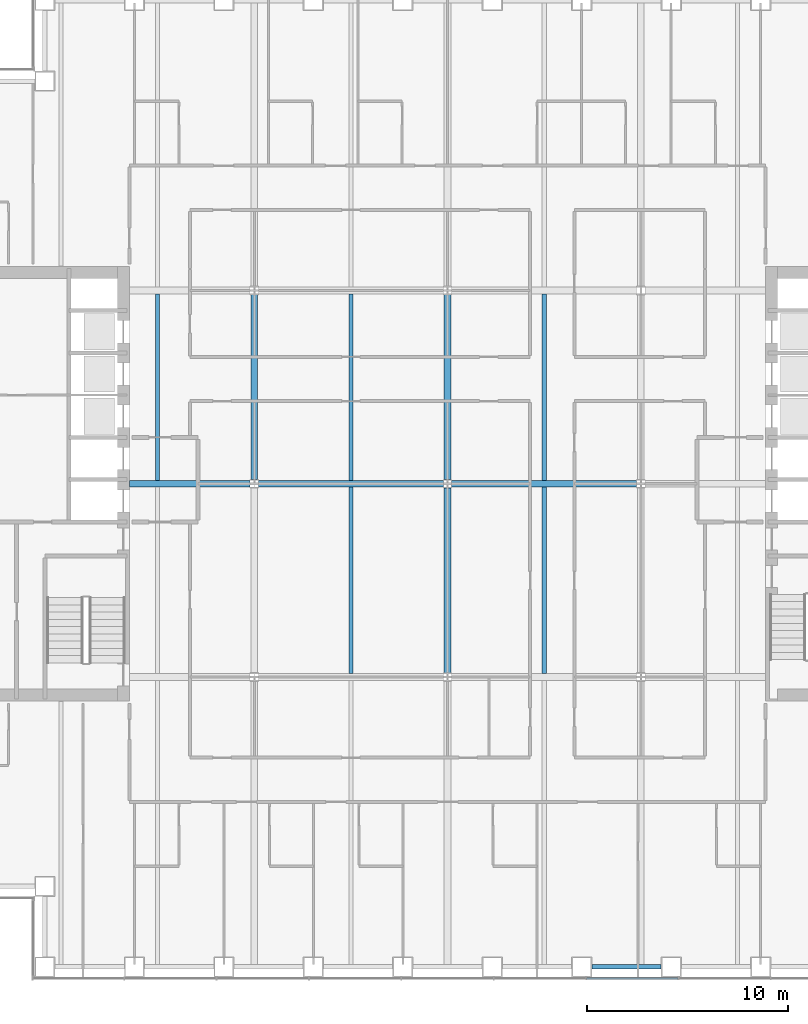
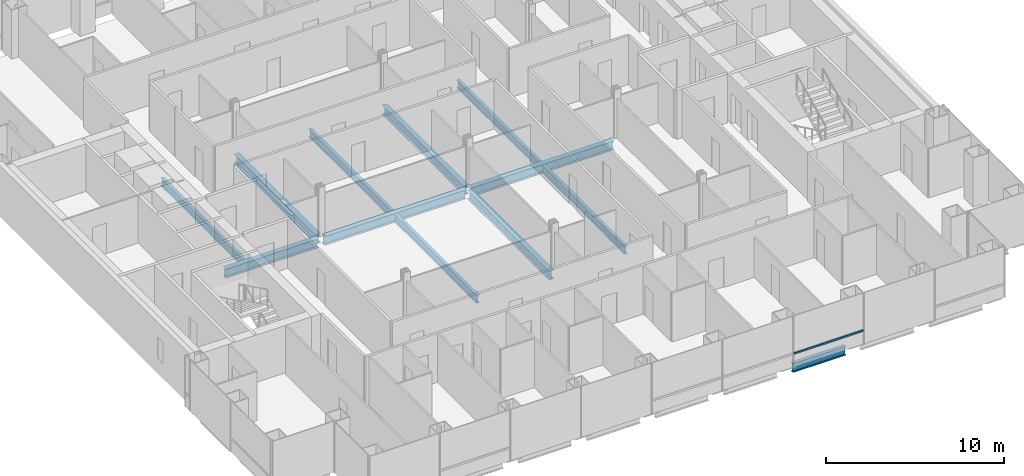
# One storey, part 4 of 23: 12 beams, 1 member, 1 element without a shape of its own.
"""IFC4 building model written with IfcOpenShell, lengths in metres."""

import ifcopenshell
import ifcopenshell.guid

model = None  # the IFC model being written
_history = None  # IfcOwnerHistory: only IFC2X3 demands one
_inside = {}  # id of a spatial element -> (the spatial element, [elements in it])
_under = {}  # id of a project, library or spatial element -> (it, [spatial elements below it])
_declared = {}  # id of a project -> (the project, [libraries it declares])
_typed = {}  # id of a type object -> (the type object, [elements of that type])
_made_of = {}  # id of a material, layer set ... -> (it, [elements and type objects made of it])


def new_model(schema):
    """Start an empty IFC model of exactly this schema.

    Asked for "IFC4X3", IfcOpenShell would pick the latest addendum, in which some entities
    have other attributes; the version numbers below select the first issue.
    IFC2X3 requires an IfcOwnerHistory on every rooted entity: one is made here for all.
    """
    global model, _history
    if schema == "IFC4X3":
        model = ifcopenshell.file(schema_version=(4, 3, 0, 0))
    else:
        model = ifcopenshell.file(schema=schema)
    _inside.clear()
    _under.clear()
    _declared.clear()
    _typed.clear()
    _made_of.clear()
    _history = None
    if model.schema == "IFC2X3":
        org = make("IfcOrganization", Name="unknown")
        user = make(
            "IfcPersonAndOrganization",
            ThePerson=make("IfcPerson", FamilyName="unknown"),
            TheOrganization=org,
        )
        app = make(
            "IfcApplication",
            ApplicationDeveloper=org,
            Version="unknown",
            ApplicationFullName="unknown",
            ApplicationIdentifier="unknown",
        )
        _history = make(
            "IfcOwnerHistory",
            OwningUser=user,
            OwningApplication=app,
            ChangeAction="ADDED",
            CreationDate=0,
        )
    return model


def make(cls, **values):
    """One entity of the class cls with the attributes given. An attribute that is None is left unset."""
    return model.create_entity(
        cls, **{name: value for name, value in values.items() if value is not None}
    )


def rooted(cls, **values):
    """An entity with a GlobalId (a new one), such as an element, a storey or a relation."""
    return make(cls, GlobalId=ifcopenshell.guid.new(), OwnerHistory=_history, **values)


def si_unit(unit_type, name, prefix=None):
    """IfcSIUnit, for example si_unit("LENGTHUNIT", "METRE", prefix="MILLI")."""
    return make("IfcSIUnit", UnitType=unit_type, Prefix=prefix, Name=name)


def assignment(units):
    """IfcUnitAssignment: the units of a project."""
    return None if units is None else make("IfcUnitAssignment", Units=units)


def point(xyz):
    """IfcCartesianPoint."""
    return None if xyz is None else make("IfcCartesianPoint", Coordinates=xyz)


def direction(xyz):
    """IfcDirection."""
    return None if xyz is None else make("IfcDirection", DirectionRatios=xyz)


def frame(location, z_axis=None, x_axis=None):
    """IfcAxis2Placement3D, a coordinate frame: its origin and axes. An axis left out is left unset."""
    return make(
        "IfcAxis2Placement3D",
        Location=point(location),
        Axis=direction(z_axis),
        RefDirection=direction(x_axis),
    )


def frame_2d(location, x_axis=None):
    """IfcAxis2Placement2D, a coordinate frame in the plane: its origin and x axis."""
    return make(
        "IfcAxis2Placement2D", Location=point(location), RefDirection=direction(x_axis)
    )


def origin():
    """The frame at (0, 0, 0) with its axes left unset."""
    return frame((0.0, 0.0, 0.0))


def origin_2d():
    """The frame at (0, 0) in the plane with its x axis left unset."""
    return frame_2d((0.0, 0.0))


def place(relative_to, where):
    """IfcLocalPlacement: puts the frame where relative to a parent placement (None: the world)."""
    return make(
        "IfcLocalPlacement", PlacementRelTo=relative_to, RelativePlacement=where
    )


def context(
    kind, dimensions, precision=None, world=None, true_north=None, identifier=None
):
    """IfcGeometricRepresentationContext, for example the 3D "Model" context."""
    return make(
        "IfcGeometricRepresentationContext",
        ContextIdentifier=identifier,
        ContextType=kind,
        CoordinateSpaceDimension=dimensions,
        Precision=precision,
        WorldCoordinateSystem=world,
        TrueNorth=true_north,
    )


def subcontext(parent, identifier, kind, view, scale=None):
    """IfcGeometricRepresentationSubContext, for example "Body" below "Model"."""
    return make(
        "IfcGeometricRepresentationSubContext",
        ContextIdentifier=identifier,
        ContextType=kind,
        ParentContext=parent,
        TargetScale=scale,
        TargetView=view,
    )


def project(units=None, contexts=None):
    """IfcProject with its units and contexts."""
    return rooted(
        "IfcProject",
        Name="project",
        RepresentationContexts=contexts,
        UnitsInContext=assignment(units),
    )


def spatial(cls, under=None, at=None, **own):
    """A site, building, storey or space (cls), placed at a placement, below another one or the project."""
    s = rooted(cls, ObjectPlacement=at, **own)
    if under is not None:
        _under.setdefault(under.id(), (under, []))[1].append(s)
    return s


def profile(cls, at=None, kind="AREA", **sizes):
    """A parametric profile (cls). Its sizes go by their IFC names, for example OverallWidth=200.0."""
    return make(cls, ProfileType=kind, Position=at, **sizes)


def rectangle(**sizes):
    """IfcRectangleProfileDef."""
    return profile("IfcRectangleProfileDef", **sizes)


def i_section(**sizes):
    """IfcIShapeProfileDef."""
    return profile("IfcIShapeProfileDef", **sizes)


def extrude(swept, where, along, depth):
    """IfcExtrudedAreaSolid: the profile swept, set in the frame where, extruded along a direction by depth."""
    return make(
        "IfcExtrudedAreaSolid",
        SweptArea=swept,
        Position=where,
        ExtrudedDirection=direction(along),
        Depth=depth,
    )


def shape(context_of_items, identifier, shape_type, items):
    """IfcShapeRepresentation: the items that make up one representation, for example the "Body"."""
    return make(
        "IfcShapeRepresentation",
        ContextOfItems=context_of_items,
        RepresentationIdentifier=identifier,
        RepresentationType=shape_type,
        Items=items,
    )


def material(Name=None, Category=None):
    """IfcMaterial."""
    return make("IfcMaterial", Name=Name, Category=Category)


def material_profile(
    of_material, cross_section, Name=None, Category=None, Priority=None
):
    """IfcMaterialProfile: a cross section and its material."""
    return make(
        "IfcMaterialProfile",
        Name=Name,
        Material=of_material,
        Profile=cross_section,
        Priority=Priority,
        Category=Category,
    )


def profile_set(profiles, Name=None, composite=None):
    """IfcMaterialProfileSet."""
    return make(
        "IfcMaterialProfileSet",
        Name=Name,
        MaterialProfiles=profiles,
        CompositeProfile=composite,
    )


def made_of(thing, what):
    """Note that an element or type object is made of a material, layer set ...; save() writes the relation."""
    if what is not None:
        _made_of.setdefault(what.id(), (what, []))[1].append(thing)
    return thing


def type_object(cls, material=None, **own):
    """A type object (cls), such as IfcWallType, which elements share."""
    return made_of(rooted(cls, **own), material)


def element(
    cls,
    number,
    at=None,
    inside=None,
    cuts=None,
    type_object=None,
    material=None,
    context=None,
    identifier="Body",
    shape_type=None,
    held_by="IfcProductDefinitionShape",
    body=None,
    shapes=None,
    **own,
):
    """One element of the class cls, such as IfcWall. Its Tag is "e" and its number.

    at: its placement. inside: the storey or other place that contains it. cuts: it is an
    opening in that element (IfcRelVoidsElement). A single representation is given by context,
    identifier, shape_type and body (its items); several are given by shapes. held_by: the class
    of the entity that holds the representations. save() writes the other relations.
    """
    e = rooted(cls, Tag="e%d" % number, ObjectPlacement=at, **own)
    if body is not None:
        shapes = [shape(context, identifier, shape_type, body)]
    if shapes is not None:
        e.Representation = make(held_by, Representations=shapes)
    if inside is not None:
        _inside.setdefault(inside.id(), (inside, []))[1].append(e)
    if cuts is not None:
        rooted(
            "IfcRelVoidsElement", RelatingBuildingElement=cuts, RelatedOpeningElement=e
        )
    if type_object is not None:
        _typed.setdefault(type_object.id(), (type_object, []))[1].append(e)
    return made_of(e, material)


def aggregate(whole, parts):
    """IfcRelAggregates: a whole, such as a stair, and the parts it consists of."""
    return rooted("IfcRelAggregates", RelatingObject=whole, RelatedObjects=parts)


def save(model, path):
    """Write the relations noted so far, then the file.

    IfcRelAggregates (storeys below a building ...), IfcRelContainedInSpatialStructure (elements
    in a storey), IfcRelDefinesByType, IfcRelAssociatesMaterial and IfcRelDeclares: one each for
    every whole, place, type object, material and project.
    """
    for whole, parts in _under.values():
        aggregate(whole, parts)
    for where, things in _inside.values():
        rooted(
            "IfcRelContainedInSpatialStructure",
            RelatedElements=things,
            RelatingStructure=where,
        )
    for kind, things in _typed.values():
        rooted("IfcRelDefinesByType", RelatedObjects=things, RelatingType=kind)
    for what, things in _made_of.values():
        rooted("IfcRelAssociatesMaterial", RelatedObjects=things, RelatingMaterial=what)
    for by, libraries in _declared.values():
        rooted("IfcRelDeclares", RelatingContext=by, RelatedDefinitions=libraries)
    model.write(path)


model = new_model("IFC4")

# Units and contexts
model_context = context("Model", 3, precision=1e-05, world=origin(), true_north=direction((0.0, 1.0)))
body_context = subcontext(model_context, "Body", "Model", "MODEL_VIEW")
ifc_project = project(units=[si_unit("LENGTHUNIT", "METRE"), si_unit("AREAUNIT", "SQUARE_METRE"), si_unit("VOLUMEUNIT", "CUBIC_METRE"), si_unit("PLANEANGLEUNIT", "RADIAN"), si_unit("MASSUNIT", "GRAM", prefix="KILO")], contexts=[model_context])

# Site, building, storey
site_placement = place(None, origin())
site = spatial("IfcSite", under=ifc_project, at=site_placement, CompositionType="ELEMENT")
building_placement = place(site_placement, origin())
building = spatial("IfcBuilding", under=site, at=building_placement, Name="Cobrizo Arcos Hotel Tower", CompositionType="ELEMENT")
storey_placement = place(building_placement, frame((0.0, 0.0, 49.5)))
storey = spatial("IfcBuildingStorey", under=building, at=storey_placement, Name="L10", CompositionType="ELEMENT", Elevation=49.5)

# Curtain wall, member
ifc_material_1 = material(Name="Aluminium 6063-T6 anodised bronze", Category="aluminium")
curtain_wall_type = type_object("IfcCurtainWallType", Name="CW-A guest facade", PredefinedType="NOTDEFINED", material=ifc_material_1)
curtain_wall_placement = place(storey_placement, origin())
curtain_wall = element("IfcCurtainWall", 1, at=curtain_wall_placement, inside=storey, type_object=curtain_wall_type, Name="CW-A L10 S face", PredefinedType="NOTDEFINED")
ifc_material_profile_1 = material_profile(ifc_material_1, rectangle(XDim=0.10009765625, YDim=0.1201171875, at=origin_2d()), Name="CW-A transom 120x100")
ifc_profile_set_1 = profile_set([ifc_material_profile_1], Name="Aluminium 6063-T6 anodised bronze")
member_type = type_object("IfcMemberType", Name="CW-A transom 120x100", PredefinedType="USERDEFINED", material=ifc_profile_set_1)
member_placement = place(storey_placement, frame((6.913330078125, -24.574951171875, 0.929931640625), z_axis=(1.0, 0.0, 0.0), x_axis=(0.0, 1.0, 0.0)))
member = element("IfcMember", 2, at=member_placement, type_object=member_type, Name="CW-A transom 481", ObjectType="TRANSOM", PredefinedType="USERDEFINED", context=body_context, shape_type="SweptSolid", body=[
    extrude(rectangle(XDim=0.10009765625, YDim=0.1201171875, at=origin_2d()), origin(), (0.0, 0.0, 1.0), 4.52880859375),
])
aggregate(curtain_wall, [member])

# Beams
ifc_material_2 = material(Name="Steel ASTM A992 Grade 50", Category="steel")
ifc_material_profile_2 = material_profile(ifc_material_2, i_section(OverallWidth=0.209228515625, OverallDepth=0.533447265625, WebThickness=0.01025390625, FlangeThickness=0.015625, at=origin_2d()), Name="W21X62")
ifc_profile_set_2 = profile_set([ifc_material_profile_2], Name="Steel ASTM A992 Grade 50")
beam_type_1 = type_object("IfcBeamType", Name="W21X62 joist", PredefinedType="JOIST", material=ifc_profile_set_2)
for number, where, z_axis, x_axis, name in (
    (3, (-14.39990234375, 0.163818359375, -0.416748046875), (0.0, 1.0, 0.0), (-1.0, 0.0, 0.0), "Floor joist J1, L10, no. 005"),
    (4, (-4.800048828125, -9.43603515625, -0.416748046875), (0.0, 1.0, 0.0), (-1.0, 0.0, 0.0), "Floor joist J1, L10, no. 008"),
    (5, (-4.800048828125, 0.163818359375, -0.416748046875), (0.0, 1.0, 0.0), (-1.0, 0.0, 0.0), "Floor joist J1, L10, no. 009"),
    (6, (4.800048828125, -9.43603515625, -0.416748046875), (0.0, 1.0, 0.0), (-1.0, 0.0, 0.0), "Floor joist J1, L10, no. 012"),
    (7, (4.800048828125, 0.163818359375, -0.416748046875), (0.0, 1.0, 0.0), (-1.0, 0.0, 0.0), "Floor joist J1, L10, no. 013"),
):
    element("IfcBeam", number, at=place(storey_placement, frame(where, z_axis=z_axis, x_axis=x_axis)), inside=storey, type_object=beam_type_1, Name=name, PredefinedType="JOIST", context=body_context, shape_type="SweptSolid", body=[
        extrude(i_section(OverallWidth=0.209228515625, OverallDepth=0.533447265625, WebThickness=0.01025390625, FlangeThickness=0.015625, at=origin_2d()), origin(), (0.0, 0.0, 1.0), 9.272216796875),
    ])
ifc_material_profile_3 = material_profile(ifc_material_2, i_section(OverallWidth=0.32763671875, OverallDepth=0.622314453125, WebThickness=0.015380859375, FlangeThickness=0.0244140625, at=origin_2d()), Name="W24X131")
ifc_profile_set_3 = profile_set([ifc_material_profile_3], Name="Steel ASTM A992 Grade 50")
beam_type_2 = type_object("IfcBeamType", Name="W24X131 girder", PredefinedType="BEAM", material=ifc_profile_set_3)
beam_1_placement = place(storey_placement, frame((-15.7900390625, 0.0, -0.461181640625), z_axis=(1.0, 0.0, 0.0), x_axis=(0.0, 1.0, 0.0)))
element("IfcBeam", 8, at=beam_1_placement, inside=storey, type_object=beam_type_2, Name="Floor girder G1, L10, no. 005", PredefinedType="BEAM", context=body_context, shape_type="SweptSolid", body=[
    extrude(i_section(OverallWidth=0.32763671875, OverallDepth=0.622314453125, WebThickness=0.015380859375, FlangeThickness=0.0244140625, at=origin_2d()), origin(), (0.0, 0.0, 1.0), 5.985595703125),
])
for number, where, z_axis, x_axis, name in (
    (9, (-9.3955078125, 0.0, -0.461181640625), (1.0, 0.0, 0.0), (0.0, 1.0, 0.0), "Floor girder G1, L10, no. 006"),
    (10, (0.204345703125, 0.0, -0.461181640625), (1.0, 0.0, 0.0), (0.0, 1.0, 0.0), "Floor girder G1, L10, no. 007"),
    (11, (-9.60009765625, 0.204345703125, -0.461181640625), (0.0, 1.0, 0.0), (-1.0, 0.0, 0.0), "Floor girder G1, L10, no. 015"),
    (12, (0.0, -9.3955078125, -0.461181640625), (0.0, 1.0, 0.0), (-1.0, 0.0, 0.0), "Floor girder G1, L10, no. 018"),
    (13, (0.0, 0.204345703125, -0.461181640625), (0.0, 1.0, 0.0), (-1.0, 0.0, 0.0), "Floor girder G1, L10, no. 019"),
):
    element("IfcBeam", number, at=place(storey_placement, frame(where, z_axis=z_axis, x_axis=x_axis)), inside=storey, type_object=beam_type_2, Name=name, PredefinedType="BEAM", context=body_context, shape_type="SweptSolid", body=[
        extrude(i_section(OverallWidth=0.32763671875, OverallDepth=0.622314453125, WebThickness=0.015380859375, FlangeThickness=0.0244140625, at=origin_2d()), origin(), (0.0, 0.0, 1.0), 9.191162109375),
    ])
ifc_material_profile_4 = material_profile(ifc_material_2, i_section(OverallWidth=0.23046875, OverallDepth=0.6171875, WebThickness=0.01318359375, FlangeThickness=0.022216796875, at=origin_2d()), Name="W24X94")
ifc_profile_set_4 = profile_set([ifc_material_profile_4], Name="Steel ASTM A992 Grade 50")
beam_type_3 = type_object("IfcBeamType", Name="W24X94 spandrel", PredefinedType="SPANDREL", material=ifc_profile_set_4)
beam_2_placement = place(storey_placement, frame((7.1669921875, -24.0, -0.45849609375), z_axis=(1.0, 0.0, 0.0), x_axis=(0.0, 1.0, 0.0)))
element("IfcBeam", 14, at=beam_2_placement, inside=storey, type_object=beam_type_3, Name="Spandrel beam W24X94, L10, no. 007", PredefinedType="SPANDREL", context=body_context, shape_type="SweptSolid", body=[
    extrude(i_section(OverallWidth=0.23046875, OverallDepth=0.6171875, WebThickness=0.01318359375, FlangeThickness=0.022216796875, at=origin_2d()), origin(), (0.0, 0.0, 1.0), 3.444091796875),
])

save(model, "model.ifc")
